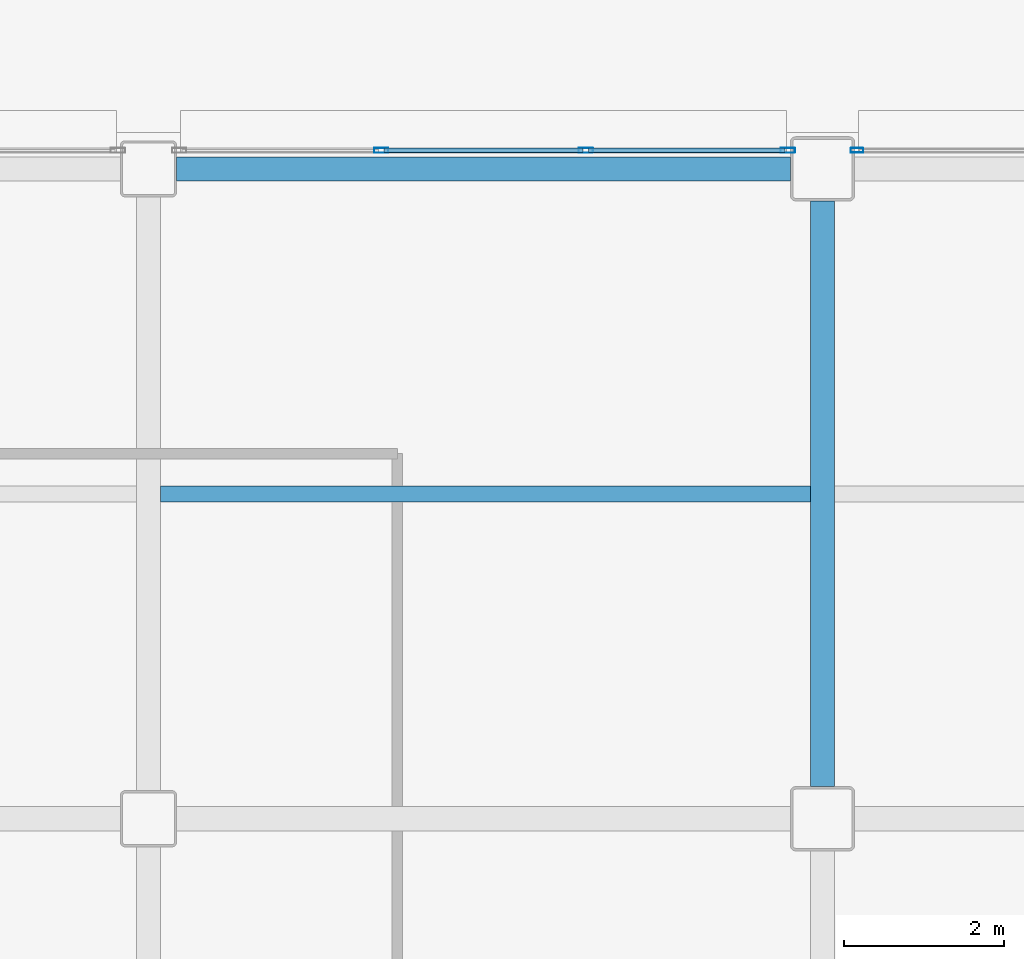
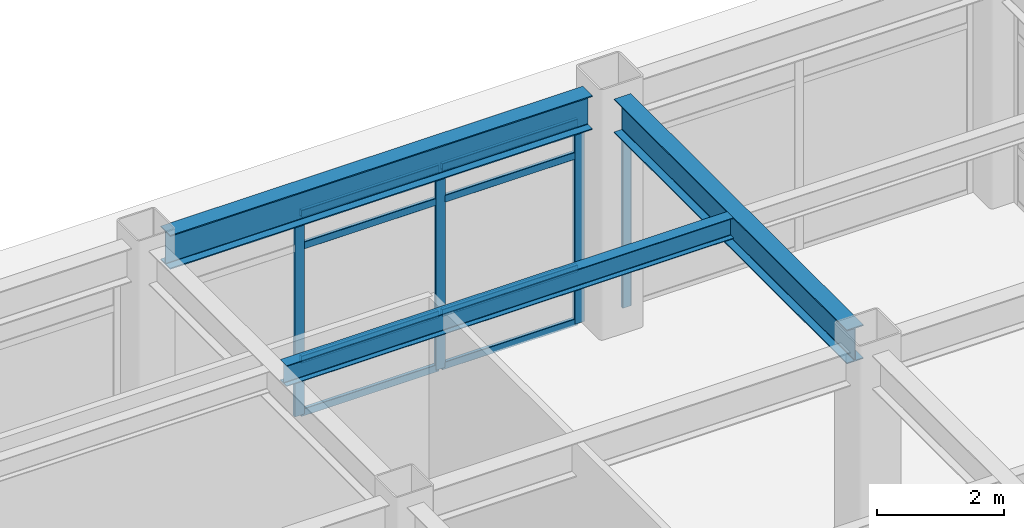
# One storey, part 120 of 172: 12 members, 3 beams, 2 elements without a shape of their own.
"""IFC4 building model written with IfcOpenShell, lengths in metres."""

from ifc_helpers import new_model, si_unit, direction, frame, origin, origin_2d, place, context, subcontext, project, spatial, hollow_rectangle, i_section, extrude, material, layer, layer_set, material_profile, profile_set, type_object, element, aggregate, save


model = new_model("IFC4")

# Units and contexts
model_context = context("Model", 3, precision=1e-05, world=origin(), true_north=direction((0.0, 1.0)))
body_context = subcontext(model_context, "Body", "Model", "MODEL_VIEW")
ifc_project = project(units=[si_unit("LENGTHUNIT", "METRE"), si_unit("AREAUNIT", "SQUARE_METRE"), si_unit("VOLUMEUNIT", "CUBIC_METRE"), si_unit("PLANEANGLEUNIT", "RADIAN"), si_unit("MASSUNIT", "GRAM", prefix="KILO")], contexts=[model_context])

# Site, building, storey
site_placement = place(None, origin())
site = spatial("IfcSite", under=ifc_project, at=site_placement, CompositionType="ELEMENT")
building_placement = place(site_placement, origin())
building = spatial("IfcBuilding", under=site, at=building_placement, Name="Kazehara Bluff Congress Hotel", CompositionType="ELEMENT")
storey_placement = place(building_placement, frame((0.0, 0.0, 5.39990234375)))
storey = spatial("IfcBuildingStorey", under=building, at=storey_placement, Name="L01", CompositionType="ELEMENT", Elevation=5.39990234375)

# Curtain wall, member
ifc_material_1 = material(Name="Anodised aluminium", Category="aluminium")
ifc_layer_1 = layer(ifc_material_1, 0.159912109375)
ifc_layer_set_1 = layer_set([ifc_layer_1], Name="Anodised aluminium")
curtain_wall_type_1 = type_object("IfcCurtainWallType", Name="TP-CW-112", PredefinedType="NOTDEFINED", material=ifc_layer_set_1)
curtain_wall_1_placement = place(storey_placement, origin())
curtain_wall_1 = element("IfcCurtainWall", 1, at=curtain_wall_1_placement, inside=storey, type_object=curtain_wall_type_1, Name="L01 curtain wall CW-112 CW-ENC-V5-L01-16405-11378", PredefinedType="NOTDEFINED")
ifc_material_2 = material(Name="Anodised aluminium", Category="aluminium")
ifc_material_profile_1 = material_profile(ifc_material_2, hollow_rectangle(XDim=0.06005859375, YDim=0.159912109375, WallThickness=0.00390625, InnerFilletRadius=0.00390625, OuterFilletRadius=0.008056640625, at=origin_2d()))
ifc_profile_set_1 = profile_set([ifc_material_profile_1], Name="Anodised aluminium")
member_type_1 = type_object("IfcMemberType", Name="TP-CWM-01", PredefinedType="MULLION", material=ifc_profile_set_1)
member_1_placement = place(storey_placement, frame((160.929931640625, 113.780029296875, 0.0), z_axis=(0.0, 0.0, 1.0), x_axis=(0.0, 1.0, 0.0)))
member_1 = element("IfcMember", 2, at=member_1_placement, type_object=member_type_1, Name="CW-112 mullion 1", PredefinedType="MULLION", context=body_context, shape_type="SweptSolid", body=[
    extrude(hollow_rectangle(XDim=0.06005859375, YDim=0.159912109375, WallThickness=0.00390625, InnerFilletRadius=0.00390625, OuterFilletRadius=0.008056640625, at=origin_2d()), origin(), (0.0, 0.0, 1.0), 3.875),
])
aggregate(curtain_wall_1, [member_1])

# Curtain wall, members
ifc_material_3 = material(Name="Anodised aluminium", Category="aluminium")
ifc_layer_2 = layer(ifc_material_3, 0.159912109375)
ifc_layer_set_2 = layer_set([ifc_layer_2], Name="Anodised aluminium")
curtain_wall_type_2 = type_object("IfcCurtainWallType", Name="TP-CW-22", PredefinedType="NOTDEFINED", material=ifc_layer_set_2)
curtain_wall_2_placement = place(storey_placement, origin())
curtain_wall_2 = element("IfcCurtainWall", 3, at=curtain_wall_2_placement, inside=storey, type_object=curtain_wall_type_2, Name="L01 curtain wall CW-22 CW-ENC-V5-L01-15627-11378", PredefinedType="NOTDEFINED")
ifc_material_4 = material(Name="Anodised aluminium", Category="aluminium")
ifc_material_profile_2 = material_profile(ifc_material_4, hollow_rectangle(XDim=0.06494140625, YDim=0.179931640625, WallThickness=0.00390625, InnerFilletRadius=0.00390625, OuterFilletRadius=0.008056640625, at=origin_2d()))
ifc_profile_set_2 = profile_set([ifc_material_profile_2], Name="Anodised aluminium")
member_type_2 = type_object("IfcMemberType", Name="TP-CWM-02", PredefinedType="MULLION", material=ifc_profile_set_2)
member_2_placement = place(storey_placement, frame((155.0, 113.780029296875, 0.0), z_axis=(0.0, 0.0, 1.0), x_axis=(0.0, 1.0, 0.0)))
member_2 = element("IfcMember", 4, at=member_2_placement, type_object=member_type_2, Name="CW-22 mullion 2", PredefinedType="MULLION", context=body_context, shape_type="SweptSolid", body=[
    extrude(hollow_rectangle(XDim=0.06494140625, YDim=0.179931640625, WallThickness=0.00390625, InnerFilletRadius=0.00390625, OuterFilletRadius=0.008056640625, at=origin_2d()), origin(), (0.0, 0.0, 1.0), 3.875),
])
member_3_placement = place(storey_placement, frame((157.550048828125, 113.780029296875, 0.0), z_axis=(0.0, 0.0, 1.0), x_axis=(0.0, 1.0, 0.0)))
member_3 = element("IfcMember", 5, at=member_3_placement, type_object=member_type_2, Name="CW-22 mullion 3", PredefinedType="MULLION", context=body_context, shape_type="SweptSolid", body=[
    extrude(hollow_rectangle(XDim=0.06494140625, YDim=0.179931640625, WallThickness=0.00390625, InnerFilletRadius=0.00390625, OuterFilletRadius=0.008056640625, at=origin_2d()), origin(), (0.0, 0.0, 1.0), 3.875),
])
member_4_placement = place(storey_placement, frame((160.0673828125, 113.780029296875, 0.0), z_axis=(0.0, 0.0, 1.0), x_axis=(0.0, 1.0, 0.0)))
member_4 = element("IfcMember", 6, at=member_4_placement, type_object=member_type_2, Name="CW-22 mullion 4", PredefinedType="MULLION", context=body_context, shape_type="SweptSolid", body=[
    extrude(hollow_rectangle(XDim=0.06494140625, YDim=0.179931640625, WallThickness=0.00390625, InnerFilletRadius=0.00390625, OuterFilletRadius=0.008056640625, at=origin_2d()), origin(), (0.0, 0.0, 1.0), 3.875),
])
ifc_material_5 = material(Name="Anodised aluminium", Category="aluminium")
ifc_material_profile_3 = material_profile(ifc_material_5, hollow_rectangle(XDim=0.06494140625, YDim=0.139892578125, WallThickness=0.00390625, InnerFilletRadius=0.00390625, OuterFilletRadius=0.008056640625, at=origin_2d()))
ifc_profile_set_3 = profile_set([ifc_material_profile_3], Name="Anodised aluminium")
member_type_3 = type_object("IfcMemberType", Name="TP-CWT-02", PredefinedType="USERDEFINED", material=ifc_profile_set_3)
member_5_placement = place(storey_placement, frame((155.032470703125, 113.780029296875, 0.03271484375), z_axis=(1.0, 0.0, 0.0), x_axis=(0.0, 1.0, 0.0)))
member_5 = element("IfcMember", 7, at=member_5_placement, type_object=member_type_3, Name="CW-22 transom 2.1", ObjectType="TRANSOM", PredefinedType="USERDEFINED", context=body_context, shape_type="SweptSolid", body=[
    extrude(hollow_rectangle(XDim=0.06494140625, YDim=0.139892578125, WallThickness=0.00390625, InnerFilletRadius=0.00390625, OuterFilletRadius=0.008056640625, at=origin_2d()), origin(), (0.0, 0.0, 1.0), 2.485107421875),
])
member_6_placement = place(storey_placement, frame((155.032470703125, 113.780029296875, 1.050048828125), z_axis=(1.0, 0.0, 0.0), x_axis=(0.0, 1.0, 0.0)))
member_6 = element("IfcMember", 8, at=member_6_placement, type_object=member_type_3, Name="CW-22 transom 2.2", ObjectType="TRANSOM", PredefinedType="USERDEFINED", context=body_context, shape_type="SweptSolid", body=[
    extrude(hollow_rectangle(XDim=0.06494140625, YDim=0.139892578125, WallThickness=0.00390625, InnerFilletRadius=0.00390625, OuterFilletRadius=0.008056640625, at=origin_2d()), origin(), (0.0, 0.0, 1.0), 2.485107421875),
])
member_7_placement = place(storey_placement, frame((155.032470703125, 113.780029296875, 3.22509765625), z_axis=(1.0, 0.0, 0.0), x_axis=(0.0, 1.0, 0.0)))
member_7 = element("IfcMember", 9, at=member_7_placement, type_object=member_type_3, Name="CW-22 transom 2.3", ObjectType="TRANSOM", PredefinedType="USERDEFINED", context=body_context, shape_type="SweptSolid", body=[
    extrude(hollow_rectangle(XDim=0.06494140625, YDim=0.139892578125, WallThickness=0.00390625, InnerFilletRadius=0.00390625, OuterFilletRadius=0.008056640625, at=origin_2d()), origin(), (0.0, 0.0, 1.0), 2.485107421875),
])
member_8_placement = place(storey_placement, frame((155.032470703125, 113.780029296875, 3.842529296875), z_axis=(1.0, 0.0, 0.0), x_axis=(0.0, 1.0, 0.0)))
member_8 = element("IfcMember", 10, at=member_8_placement, type_object=member_type_3, Name="CW-22 transom 2.4", ObjectType="TRANSOM", PredefinedType="USERDEFINED", context=body_context, shape_type="SweptSolid", body=[
    extrude(hollow_rectangle(XDim=0.06494140625, YDim=0.139892578125, WallThickness=0.00390625, InnerFilletRadius=0.00390625, OuterFilletRadius=0.008056640625, at=origin_2d()), origin(), (0.0, 0.0, 1.0), 2.485107421875),
])
member_9_placement = place(storey_placement, frame((157.58251953125, 113.780029296875, 0.03271484375), z_axis=(1.0, 0.0, 0.0), x_axis=(0.0, 1.0, 0.0)))
member_9 = element("IfcMember", 11, at=member_9_placement, type_object=member_type_3, Name="CW-22 transom 3.1", ObjectType="TRANSOM", PredefinedType="USERDEFINED", context=body_context, shape_type="SweptSolid", body=[
    extrude(hollow_rectangle(XDim=0.06494140625, YDim=0.139892578125, WallThickness=0.00390625, InnerFilletRadius=0.00390625, OuterFilletRadius=0.008056640625, at=origin_2d()), origin(), (0.0, 0.0, 1.0), 2.452392578125),
])
member_10_placement = place(storey_placement, frame((157.58251953125, 113.780029296875, 1.050048828125), z_axis=(1.0, 0.0, 0.0), x_axis=(0.0, 1.0, 0.0)))
member_10 = element("IfcMember", 12, at=member_10_placement, type_object=member_type_3, Name="CW-22 transom 3.2", ObjectType="TRANSOM", PredefinedType="USERDEFINED", context=body_context, shape_type="SweptSolid", body=[
    extrude(hollow_rectangle(XDim=0.06494140625, YDim=0.139892578125, WallThickness=0.00390625, InnerFilletRadius=0.00390625, OuterFilletRadius=0.008056640625, at=origin_2d()), origin(), (0.0, 0.0, 1.0), 2.452392578125),
])
member_11_placement = place(storey_placement, frame((157.58251953125, 113.780029296875, 3.22509765625), z_axis=(1.0, 0.0, 0.0), x_axis=(0.0, 1.0, 0.0)))
member_11 = element("IfcMember", 13, at=member_11_placement, type_object=member_type_3, Name="CW-22 transom 3.3", ObjectType="TRANSOM", PredefinedType="USERDEFINED", context=body_context, shape_type="SweptSolid", body=[
    extrude(hollow_rectangle(XDim=0.06494140625, YDim=0.139892578125, WallThickness=0.00390625, InnerFilletRadius=0.00390625, OuterFilletRadius=0.008056640625, at=origin_2d()), origin(), (0.0, 0.0, 1.0), 2.452392578125),
])
member_12_placement = place(storey_placement, frame((157.58251953125, 113.780029296875, 3.842529296875), z_axis=(1.0, 0.0, 0.0), x_axis=(0.0, 1.0, 0.0)))
member_12 = element("IfcMember", 14, at=member_12_placement, type_object=member_type_3, Name="CW-22 transom 3.4", ObjectType="TRANSOM", PredefinedType="USERDEFINED", context=body_context, shape_type="SweptSolid", body=[
    extrude(hollow_rectangle(XDim=0.06494140625, YDim=0.139892578125, WallThickness=0.00390625, InnerFilletRadius=0.00390625, OuterFilletRadius=0.008056640625, at=origin_2d()), origin(), (0.0, 0.0, 1.0), 2.452392578125),
])
aggregate(curtain_wall_2, [member_2, member_3, member_4, member_5, member_6, member_7, member_8, member_9, member_10, member_11, member_12])

# Beams
ifc_material_6 = material(Name="Steel SN490B", Category="steel")
ifc_material_profile_4 = material_profile(ifc_material_6, i_section(OverallWidth=0.300048828125, OverallDepth=0.64990234375, WebThickness=0.011962890625, FlangeThickness=0.02001953125, FilletRadius=0.012939453125, at=origin_2d()))
ifc_profile_set_4 = profile_set([ifc_material_profile_4], Name="Steel SN490B")
beam_type_1 = type_object("IfcBeamType", Name="TP-G-03", PredefinedType="BEAM", material=ifc_profile_set_4)
beam_1_placement = place(storey_placement, frame((160.5, 105.85009765625, 4.22509765625), z_axis=(0.0, 1.0, 0.0), x_axis=(-1.0, 0.0, 0.0)))
element("IfcBeam", 15, at=beam_1_placement, inside=storey, type_object=beam_type_1, Name="L01 girder G-03 259", PredefinedType="BEAM", context=body_context, shape_type="SweptSolid", body=[
    extrude(i_section(OverallWidth=0.300048828125, OverallDepth=0.64990234375, WebThickness=0.011962890625, FlangeThickness=0.02001953125, FilletRadius=0.012939453125, at=origin_2d()), origin(), (0.0, 0.0, 1.0), 7.2998046875),
])
beam_2_placement = place(storey_placement, frame((152.449951171875, 113.550048828125, 4.22509765625), z_axis=(1.0, 0.0, 0.0), x_axis=(0.0, 1.0, 0.0)))
element("IfcBeam", 16, at=beam_2_placement, inside=storey, type_object=beam_type_1, Name="L01 girder G-03 317", PredefinedType="BEAM", context=body_context, shape_type="SweptSolid", body=[
    extrude(i_section(OverallWidth=0.300048828125, OverallDepth=0.64990234375, WebThickness=0.011962890625, FlangeThickness=0.02001953125, FilletRadius=0.012939453125, at=origin_2d()), origin(), (0.0, 0.0, 1.0), 7.650146484375),
])
ifc_material_7 = material(Name="Steel SN400B", Category="steel")
ifc_material_profile_5 = material_profile(ifc_material_7, i_section(OverallWidth=0.199951171875, OverallDepth=0.39990234375, WebThickness=0.008056640625, FlangeThickness=0.012939453125, FilletRadius=0.012939453125, at=origin_2d()))
ifc_profile_set_5 = profile_set([ifc_material_profile_5], Name="Steel SN400B")
beam_type_2 = type_object("IfcBeamType", Name="TP-J-03", PredefinedType="JOIST", material=ifc_profile_set_5)
beam_3_placement = place(storey_placement, frame((152.25, 109.5, 4.35009765625), z_axis=(1.0, 0.0, 0.0), x_axis=(0.0, 1.0, 0.0)))
element("IfcBeam", 17, at=beam_3_placement, inside=storey, type_object=beam_type_2, Name="L01 secondary joist J-03 70", PredefinedType="JOIST", context=body_context, shape_type="SweptSolid", body=[
    extrude(i_section(OverallWidth=0.199951171875, OverallDepth=0.39990234375, WebThickness=0.008056640625, FlangeThickness=0.012939453125, FilletRadius=0.012939453125, at=origin_2d()), origin(), (0.0, 0.0, 1.0), 8.10009765625),
])

save(model, "model.ifc")
